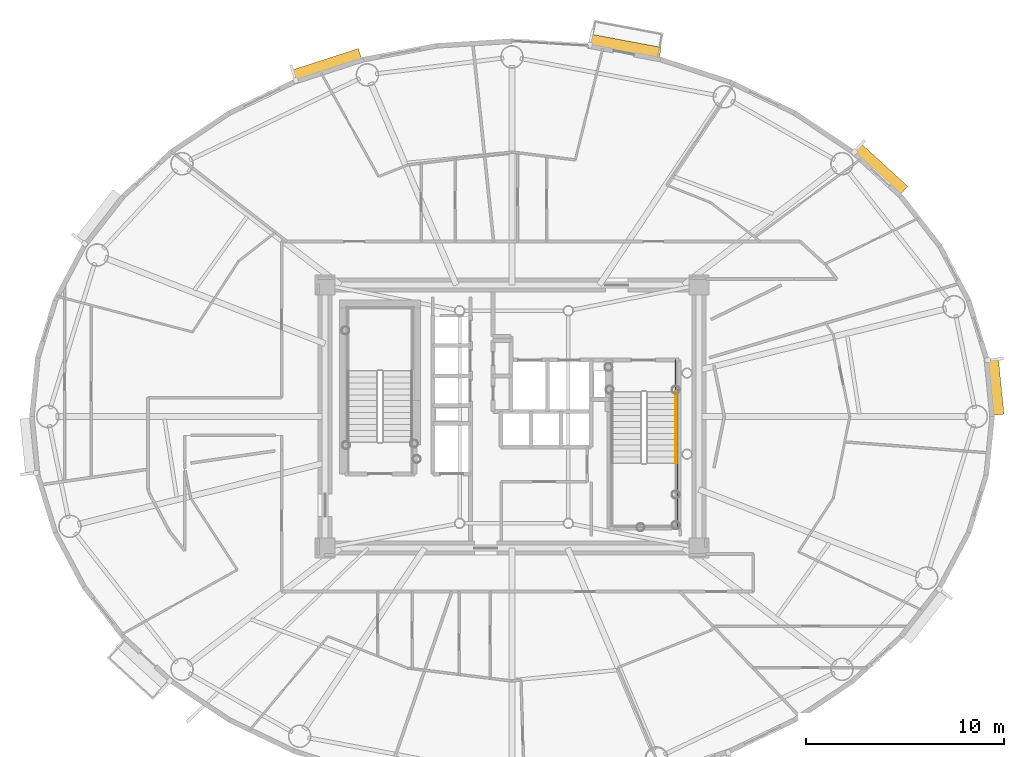
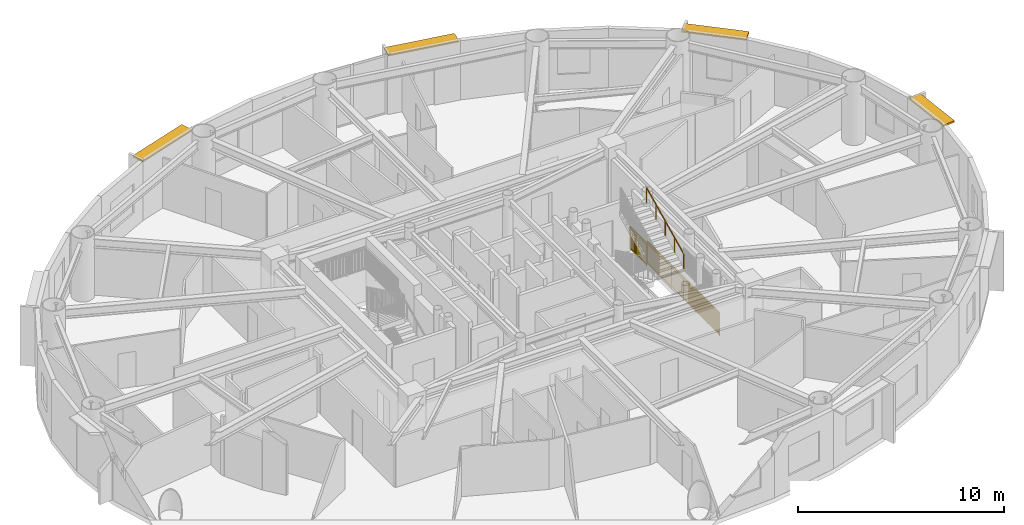
# One storey, part 17 of 18: 4 shading devices, 3 railings.
"""IFC4 building model written with IfcOpenShell, lengths in metres."""

from ifc_helpers import new_model, si_unit, direction, frame, origin, origin_2d, place, context, subcontext, project, spatial, rectangle, extrude, source, transform, mapped, material, layer, layer_set, type_object, element, save


model = new_model("IFC4")

# Units and contexts
model_context = context("Model", 3, precision=1e-05, world=origin(), true_north=direction((0.0, 1.0)))
body_context = subcontext(model_context, "Body", "Model", "MODEL_VIEW")
ifc_project = project(units=[si_unit("LENGTHUNIT", "METRE"), si_unit("AREAUNIT", "SQUARE_METRE"), si_unit("VOLUMEUNIT", "CUBIC_METRE"), si_unit("PLANEANGLEUNIT", "RADIAN"), si_unit("MASSUNIT", "GRAM", prefix="KILO")], contexts=[model_context])

# Site, building, storey
site_placement = place(None, origin())
site = spatial("IfcSite", under=ifc_project, at=site_placement, CompositionType="ELEMENT")
building_placement = place(site_placement, origin())
building = spatial("IfcBuilding", under=site, at=building_placement, Name="Linh Dai School and Residence Tower", CompositionType="ELEMENT")
storey_placement = place(building_placement, frame((0.0, 0.0, 240.300048828125)))
storey = spatial("IfcBuildingStorey", under=building, at=storey_placement, Name="L59", CompositionType="ELEMENT", Elevation=240.300048828125)

# Shading devices
ifc_material_1 = material(Name="Terracotta Ceramic Sunshade", Category="masonry")
ifc_layer = layer(ifc_material_1, 0.10009765625)
ifc_layer_set = layer_set([ifc_layer], Name="Terracotta Ceramic Sunshade")
shading_device_type = type_object("IfcShadingDeviceType", Name="SHD-TC-650", PredefinedType="USERDEFINED", material=ifc_layer_set)
shared_shape_1 = source(origin(), body_context, "Body", "SweptSolid", [
    extrude(rectangle(XDim=2.859619140625, YDim=0.64990234375, at=origin_2d()), origin(), (0.0, 0.0, 1.0), 0.10009765625),
])
shading_device_1_placement = place(storey_placement, frame((60.40966796875, 28.510498046875, 3.3798828125), z_axis=(0.0, 0.0, 1.0), x_axis=(0.100012244219, -0.99498620644, 0.0)))
element("IfcShadingDevice", 1, at=shading_device_1_placement, inside=storey, type_object=shading_device_type, Name="L59 Terracotta Horizontal Sunshade Band 01", ObjectType="SUNSHADE", PredefinedType="USERDEFINED", context=body_context, shape_type="MappedRepresentation", body=[
    mapped(shared_shape_1, transform((0.0, 0.0, 0.0), x_axis=(1.0, 0.0, 0.0), y_axis=(0.0, 1.0, 0.0), z_axis=(0.0, 0.0, 1.0), scale=1.0)),
])
shared_shape_2 = source(origin(), body_context, "Body", "SweptSolid", [
    extrude(rectangle(XDim=3.219482421875, YDim=0.64990234375, at=origin_2d()), origin(), (0.0, 0.0, 1.0), 0.10009765625),
])
shading_device_2_placement = place(storey_placement, frame((54.60498046875, 39.48779296875, 3.3798828125), z_axis=(0.0, 0.0, 1.0), x_axis=(0.737123938446, -0.675757574408, 0.0)))
element("IfcShadingDevice", 2, at=shading_device_2_placement, inside=storey, type_object=shading_device_type, Name="L59 Terracotta Horizontal Sunshade Band 05", ObjectType="SUNSHADE", PredefinedType="USERDEFINED", context=body_context, shape_type="MappedRepresentation", body=[
    mapped(shared_shape_2, transform((0.0, 0.0, 0.0), x_axis=(1.0, 0.0, 0.0), y_axis=(0.0, 1.0, 0.0), z_axis=(0.0, 0.0, 1.0), scale=1.0)),
])
shared_shape_3 = source(origin(), body_context, "Body", "SweptSolid", [
    extrude(rectangle(XDim=3.62158203125, YDim=0.64990234375, at=origin_2d()), origin(), (0.0, 0.0, 1.0), 0.10009765625),
])
shading_device_3_placement = place(storey_placement, frame((41.7080078125, 45.67724609375, 3.3798828125), z_axis=(0.0, 0.0, 1.0), x_axis=(0.982786586765, -0.18474448537, 0.0)))
element("IfcShadingDevice", 3, at=shading_device_3_placement, inside=storey, type_object=shading_device_type, Name="L59 Terracotta Horizontal Sunshade Band 09", ObjectType="SUNSHADE", PredefinedType="USERDEFINED", context=body_context, shape_type="MappedRepresentation", body=[
    mapped(shared_shape_3, transform((0.0, 0.0, 0.0), x_axis=(1.0, 0.0, 0.0), y_axis=(0.0, 1.0, 0.0), z_axis=(0.0, 0.0, 1.0), scale=1.0)),
])
shared_shape_4 = source(origin(), body_context, "Body", "SweptSolid", [
    extrude(rectangle(XDim=3.554443359375, YDim=0.64990234375, at=origin_2d()), origin(), (0.0, 0.0, 1.0), 0.10009765625),
])
shading_device_4_placement = place(storey_placement, frame((26.641845703125, 44.748779296875, 3.3798828125), z_axis=(0.0, 0.0, 1.0), x_axis=(0.951223997135, 0.308501065272, 0.0)))
element("IfcShadingDevice", 4, at=shading_device_4_placement, inside=storey, type_object=shading_device_type, Name="L59 Terracotta Horizontal Sunshade Band 13", ObjectType="SUNSHADE", PredefinedType="USERDEFINED", context=body_context, shape_type="MappedRepresentation", body=[
    mapped(shared_shape_4, transform((0.0, 0.0, 0.0), x_axis=(1.0, 0.0, 0.0), y_axis=(0.0, 1.0, 0.0), z_axis=(0.0, 0.0, 1.0), scale=1.0)),
])

# Railings
ifc_material_2 = material(Name="Brushed Stainless Steel Handrail", Category="steel")
railing_type_1 = type_object("IfcRailingType", Name="RL-ST-HANDRAIL-900", PredefinedType="HANDRAIL", material=ifc_material_2)
shared_shape_5 = source(origin(), body_context, "Body", "SweptSolid", [
    extrude(rectangle(XDim=0.048095703125, YDim=0.048095703125, at=origin_2d()), frame((0.0, 0.0, 0.8759765625), z_axis=(0.0, 0.901262522062, 0.433273431364), x_axis=(-1.0, 0.0, 0.0)), (0.0, 0.0, 1.0), 3.994384765625),
    extrude(rectangle(XDim=0.0419921875, YDim=0.0419921875, at=origin_2d()), origin(), (0.0, 0.0, 1.0), 0.8759765625),
    extrude(rectangle(XDim=0.0419921875, YDim=0.0419921875, at=origin_2d()), frame((0.0, 0.89990234375, 0.4326171875)), (0.0, 0.0, 1.0), 0.8759765625),
    extrude(rectangle(XDim=0.0419921875, YDim=0.0419921875, at=origin_2d()), frame((0.0, 1.800048828125, 0.865234375)), (0.0, 0.0, 1.0), 0.8759765625),
    extrude(rectangle(XDim=0.0419921875, YDim=0.0419921875, at=origin_2d()), frame((0.0, 2.7001953125, 1.298095703125)), (0.0, 0.0, 1.0), 0.8759765625),
    extrude(rectangle(XDim=0.0419921875, YDim=0.0419921875, at=origin_2d()), frame((0.0, 3.60009765625, 1.730712890625)), (0.0, 0.0, 1.0), 0.8759765625),
])
railing_1_placement = place(storey_placement, frame((44.27001953125, 24.64990234375, 2.019287109375)))
element("IfcRailing", 5, at=railing_1_placement, inside=storey, type_object=railing_type_1, Name="L59 ST2 stair handrail 2", PredefinedType="HANDRAIL", context=body_context, shape_type="MappedRepresentation", body=[
    mapped(shared_shape_5, transform((0.0, 0.0, 0.0), x_axis=(1.0, 0.0, 0.0), y_axis=(0.0, 1.0, 0.0), z_axis=(0.0, 0.0, 1.0), scale=1.0)),
])
ifc_material_3 = material(Name="Structural Steel S355JR", Category="steel")
railing_type_2 = type_object("IfcRailingType", Name="RL-ST-GUARD-1400", PredefinedType="GUARDRAIL", material=ifc_material_3)
shared_shape_6 = source(origin(), body_context, "Body", "SweptSolid", [
    extrude(rectangle(XDim=0.048095703125, YDim=0.048095703125, at=origin_2d()), frame((0.0, 0.0, 1.3759765625), z_axis=(0.0, -1.0, 0.0), x_axis=(1.0, 0.0, 0.0)), (0.0, 0.0, 1.0), 1.60009765625),
    extrude(rectangle(XDim=0.048095703125, YDim=0.048095703125, at=origin_2d()), frame((0.0, 0.0, 0.10009765625), z_axis=(0.0, -1.0, 0.0), x_axis=(1.0, 0.0, 0.0)), (0.0, 0.0, 1.0), 1.60009765625),
    extrude(rectangle(XDim=0.030029296875, YDim=0.030029296875, at=origin_2d()), frame((0.0, 0.0, 1.239990234375), z_axis=(0.0, -1.0, 0.0), x_axis=(1.0, 0.0, 0.0)), (0.0, 0.0, 1.0), 1.60009765625),
    extrude(rectangle(XDim=0.02001953125, YDim=0.02001953125, at=origin_2d()), frame((0.0, -0.09423828125, 0.10009765625)), (0.0, 0.0, 1.0), 1.251708984375),
    extrude(rectangle(XDim=0.02001953125, YDim=0.02001953125, at=origin_2d()), frame((0.0, -0.188232421875, 0.10009765625)), (0.0, 0.0, 1.0), 1.251708984375),
    extrude(rectangle(XDim=0.02001953125, YDim=0.02001953125, at=origin_2d()), frame((0.0, -0.282470703125, 0.10009765625)), (0.0, 0.0, 1.0), 1.251708984375),
    extrude(rectangle(XDim=0.02001953125, YDim=0.02001953125, at=origin_2d()), frame((0.0, -0.37646484375, 0.10009765625)), (0.0, 0.0, 1.0), 1.251708984375),
    extrude(rectangle(XDim=0.02001953125, YDim=0.02001953125, at=origin_2d()), frame((0.0, -0.470703125, 0.10009765625)), (0.0, 0.0, 1.0), 1.251708984375),
    extrude(rectangle(XDim=0.02001953125, YDim=0.02001953125, at=origin_2d()), frame((0.0, -0.564697265625, 0.10009765625)), (0.0, 0.0, 1.0), 1.251708984375),
    extrude(rectangle(XDim=0.02001953125, YDim=0.02001953125, at=origin_2d()), frame((0.0, -0.658935546875, 0.10009765625)), (0.0, 0.0, 1.0), 1.251708984375),
    extrude(rectangle(XDim=0.02001953125, YDim=0.02001953125, at=origin_2d()), frame((0.0, -0.7529296875, 0.10009765625)), (0.0, 0.0, 1.0), 1.251708984375),
    extrude(rectangle(XDim=0.02001953125, YDim=0.02001953125, at=origin_2d()), frame((0.0, -0.84716796875, 0.10009765625)), (0.0, 0.0, 1.0), 1.251708984375),
    extrude(rectangle(XDim=0.02001953125, YDim=0.02001953125, at=origin_2d()), frame((0.0, -0.941162109375, 0.10009765625)), (0.0, 0.0, 1.0), 1.251708984375),
    extrude(rectangle(XDim=0.02001953125, YDim=0.02001953125, at=origin_2d()), frame((0.0, -1.035400390625, 0.10009765625)), (0.0, 0.0, 1.0), 1.251708984375),
    extrude(rectangle(XDim=0.02001953125, YDim=0.02001953125, at=origin_2d()), frame((0.0, -1.12939453125, 0.10009765625)), (0.0, 0.0, 1.0), 1.251708984375),
    extrude(rectangle(XDim=0.02001953125, YDim=0.02001953125, at=origin_2d()), frame((0.0, -1.2236328125, 0.10009765625)), (0.0, 0.0, 1.0), 1.251708984375),
    extrude(rectangle(XDim=0.02001953125, YDim=0.02001953125, at=origin_2d()), frame((0.0, -1.317626953125, 0.10009765625)), (0.0, 0.0, 1.0), 1.251708984375),
    extrude(rectangle(XDim=0.02001953125, YDim=0.02001953125, at=origin_2d()), frame((0.0, -1.411865234375, 0.10009765625)), (0.0, 0.0, 1.0), 1.251708984375),
    extrude(rectangle(XDim=0.02001953125, YDim=0.02001953125, at=origin_2d()), frame((0.0, -1.505859375, 0.10009765625)), (0.0, 0.0, 1.0), 1.251708984375),
    extrude(rectangle(XDim=0.0419921875, YDim=0.0419921875, at=origin_2d()), origin(), (0.0, 0.0, 1.0), 1.3759765625),
    extrude(rectangle(XDim=0.0419921875, YDim=0.0419921875, at=origin_2d()), frame((0.0, -0.800048828125, 0.0)), (0.0, 0.0, 1.0), 1.3759765625),
    extrude(rectangle(XDim=0.0419921875, YDim=0.0419921875, at=origin_2d()), frame((0.0, -1.60009765625, 0.0)), (0.0, 0.0, 1.0), 1.3759765625),
])
railing_2_placement = place(storey_placement, frame((44.27001953125, 29.85009765625, 0.0)))
element("IfcRailing", 6, at=railing_2_placement, inside=storey, type_object=railing_type_2, Name="L59 ST2 stair guard 9", PredefinedType="GUARDRAIL", context=body_context, shape_type="MappedRepresentation", body=[
    mapped(shared_shape_6, transform((0.0, 0.0, 0.0), x_axis=(1.0, 0.0, 0.0), y_axis=(0.0, 1.0, 0.0), z_axis=(0.0, 0.0, 1.0), scale=1.0)),
])
shared_shape_7 = source(origin(), body_context, "Body", "SweptSolid", [
    extrude(rectangle(XDim=0.048095703125, YDim=0.048095703125, at=origin_2d()), frame((0.0, 0.0, 1.3759765625), z_axis=(0.0, -1.0, 0.0), x_axis=(1.0, 0.0, 0.0)), (0.0, 0.0, 1.0), 7.0),
    extrude(rectangle(XDim=0.048095703125, YDim=0.048095703125, at=origin_2d()), frame((0.0, 0.0, 0.10009765625), z_axis=(0.0, -1.0, 0.0), x_axis=(1.0, 0.0, 0.0)), (0.0, 0.0, 1.0), 7.0),
    extrude(rectangle(XDim=0.030029296875, YDim=0.030029296875, at=origin_2d()), frame((0.0, 0.0, 1.239990234375), z_axis=(0.0, -1.0, 0.0), x_axis=(1.0, 0.0, 0.0)), (0.0, 0.0, 1.0), 7.0),
    extrude(rectangle(XDim=0.02001953125, YDim=0.02001953125, at=origin_2d()), frame((0.0, -0.09716796875, 0.10009765625)), (0.0, 0.0, 1.0), 1.251708984375),
    extrude(rectangle(XDim=0.02001953125, YDim=0.02001953125, at=origin_2d()), frame((0.0, -0.1943359375, 0.10009765625)), (0.0, 0.0, 1.0), 1.251708984375),
    extrude(rectangle(XDim=0.02001953125, YDim=0.02001953125, at=origin_2d()), frame((0.0, -0.291748046875, 0.10009765625)), (0.0, 0.0, 1.0), 1.251708984375),
    extrude(rectangle(XDim=0.02001953125, YDim=0.02001953125, at=origin_2d()), frame((0.0, -0.388916015625, 0.10009765625)), (0.0, 0.0, 1.0), 1.251708984375),
    extrude(rectangle(XDim=0.02001953125, YDim=0.02001953125, at=origin_2d()), frame((0.0, -0.486083984375, 0.10009765625)), (0.0, 0.0, 1.0), 1.251708984375),
    extrude(rectangle(XDim=0.02001953125, YDim=0.02001953125, at=origin_2d()), frame((0.0, -0.583251953125, 0.10009765625)), (0.0, 0.0, 1.0), 1.251708984375),
    extrude(rectangle(XDim=0.02001953125, YDim=0.02001953125, at=origin_2d()), frame((0.0, -0.6806640625, 0.10009765625)), (0.0, 0.0, 1.0), 1.251708984375),
    extrude(rectangle(XDim=0.02001953125, YDim=0.02001953125, at=origin_2d()), frame((0.0, -0.77783203125, 0.10009765625)), (0.0, 0.0, 1.0), 1.251708984375),
    extrude(rectangle(XDim=0.02001953125, YDim=0.02001953125, at=origin_2d()), frame((0.0, -0.875, 0.10009765625)), (0.0, 0.0, 1.0), 1.251708984375),
    extrude(rectangle(XDim=0.02001953125, YDim=0.02001953125, at=origin_2d()), frame((0.0, -0.97216796875, 0.10009765625)), (0.0, 0.0, 1.0), 1.251708984375),
    extrude(rectangle(XDim=0.02001953125, YDim=0.02001953125, at=origin_2d()), frame((0.0, -1.0693359375, 0.10009765625)), (0.0, 0.0, 1.0), 1.251708984375),
    extrude(rectangle(XDim=0.02001953125, YDim=0.02001953125, at=origin_2d()), frame((0.0, -1.263916015625, 0.10009765625)), (0.0, 0.0, 1.0), 1.251708984375),
    extrude(rectangle(XDim=0.02001953125, YDim=0.02001953125, at=origin_2d()), frame((0.0, -1.361083984375, 0.10009765625)), (0.0, 0.0, 1.0), 1.251708984375),
    extrude(rectangle(XDim=0.02001953125, YDim=0.02001953125, at=origin_2d()), frame((0.0, -1.458251953125, 0.10009765625)), (0.0, 0.0, 1.0), 1.251708984375),
    extrude(rectangle(XDim=0.02001953125, YDim=0.02001953125, at=origin_2d()), frame((0.0, -1.5556640625, 0.10009765625)), (0.0, 0.0, 1.0), 1.251708984375),
    extrude(rectangle(XDim=0.02001953125, YDim=0.02001953125, at=origin_2d()), frame((0.0, -1.65283203125, 0.10009765625)), (0.0, 0.0, 1.0), 1.251708984375),
    extrude(rectangle(XDim=0.02001953125, YDim=0.02001953125, at=origin_2d()), frame((0.0, -1.75, 0.10009765625)), (0.0, 0.0, 1.0), 1.251708984375),
    extrude(rectangle(XDim=0.02001953125, YDim=0.02001953125, at=origin_2d()), frame((0.0, -1.84716796875, 0.10009765625)), (0.0, 0.0, 1.0), 1.251708984375),
    extrude(rectangle(XDim=0.02001953125, YDim=0.02001953125, at=origin_2d()), frame((0.0, -1.9443359375, 0.10009765625)), (0.0, 0.0, 1.0), 1.251708984375),
    extrude(rectangle(XDim=0.02001953125, YDim=0.02001953125, at=origin_2d()), frame((0.0, -2.041748046875, 0.10009765625)), (0.0, 0.0, 1.0), 1.251708984375),
    extrude(rectangle(XDim=0.02001953125, YDim=0.02001953125, at=origin_2d()), frame((0.0, -2.138916015625, 0.10009765625)), (0.0, 0.0, 1.0), 1.251708984375),
    extrude(rectangle(XDim=0.02001953125, YDim=0.02001953125, at=origin_2d()), frame((0.0, -2.236083984375, 0.10009765625)), (0.0, 0.0, 1.0), 1.251708984375),
    extrude(rectangle(XDim=0.02001953125, YDim=0.02001953125, at=origin_2d()), frame((0.0, -2.4306640625, 0.10009765625)), (0.0, 0.0, 1.0), 1.251708984375),
    extrude(rectangle(XDim=0.02001953125, YDim=0.02001953125, at=origin_2d()), frame((0.0, -2.52783203125, 0.10009765625)), (0.0, 0.0, 1.0), 1.251708984375),
    extrude(rectangle(XDim=0.02001953125, YDim=0.02001953125, at=origin_2d()), frame((0.0, -2.625, 0.10009765625)), (0.0, 0.0, 1.0), 1.251708984375),
    extrude(rectangle(XDim=0.02001953125, YDim=0.02001953125, at=origin_2d()), frame((0.0, -2.72216796875, 0.10009765625)), (0.0, 0.0, 1.0), 1.251708984375),
    extrude(rectangle(XDim=0.02001953125, YDim=0.02001953125, at=origin_2d()), frame((0.0, -2.8193359375, 0.10009765625)), (0.0, 0.0, 1.0), 1.251708984375),
    extrude(rectangle(XDim=0.02001953125, YDim=0.02001953125, at=origin_2d()), frame((0.0, -2.916748046875, 0.10009765625)), (0.0, 0.0, 1.0), 1.251708984375),
    extrude(rectangle(XDim=0.02001953125, YDim=0.02001953125, at=origin_2d()), frame((0.0, -3.013916015625, 0.10009765625)), (0.0, 0.0, 1.0), 1.251708984375),
    extrude(rectangle(XDim=0.02001953125, YDim=0.02001953125, at=origin_2d()), frame((0.0, -3.111083984375, 0.10009765625)), (0.0, 0.0, 1.0), 1.251708984375),
    extrude(rectangle(XDim=0.02001953125, YDim=0.02001953125, at=origin_2d()), frame((0.0, -3.208251953125, 0.10009765625)), (0.0, 0.0, 1.0), 1.251708984375),
    extrude(rectangle(XDim=0.02001953125, YDim=0.02001953125, at=origin_2d()), frame((0.0, -3.3056640625, 0.10009765625)), (0.0, 0.0, 1.0), 1.251708984375),
    extrude(rectangle(XDim=0.02001953125, YDim=0.02001953125, at=origin_2d()), frame((0.0, -3.40283203125, 0.10009765625)), (0.0, 0.0, 1.0), 1.251708984375),
    extrude(rectangle(XDim=0.02001953125, YDim=0.02001953125, at=origin_2d()), frame((0.0, -3.59716796875, 0.10009765625)), (0.0, 0.0, 1.0), 1.251708984375),
    extrude(rectangle(XDim=0.02001953125, YDim=0.02001953125, at=origin_2d()), frame((0.0, -3.6943359375, 0.10009765625)), (0.0, 0.0, 1.0), 1.251708984375),
    extrude(rectangle(XDim=0.02001953125, YDim=0.02001953125, at=origin_2d()), frame((0.0, -3.791748046875, 0.10009765625)), (0.0, 0.0, 1.0), 1.251708984375),
    extrude(rectangle(XDim=0.02001953125, YDim=0.02001953125, at=origin_2d()), frame((0.0, -3.888916015625, 0.10009765625)), (0.0, 0.0, 1.0), 1.251708984375),
    extrude(rectangle(XDim=0.02001953125, YDim=0.02001953125, at=origin_2d()), frame((0.0, -3.986083984375, 0.10009765625)), (0.0, 0.0, 1.0), 1.251708984375),
    extrude(rectangle(XDim=0.02001953125, YDim=0.02001953125, at=origin_2d()), frame((0.0, -4.083251953125, 0.10009765625)), (0.0, 0.0, 1.0), 1.251708984375),
    extrude(rectangle(XDim=0.02001953125, YDim=0.02001953125, at=origin_2d()), frame((0.0, -4.1806640625, 0.10009765625)), (0.0, 0.0, 1.0), 1.251708984375),
    extrude(rectangle(XDim=0.02001953125, YDim=0.02001953125, at=origin_2d()), frame((0.0, -4.27783203125, 0.10009765625)), (0.0, 0.0, 1.0), 1.251708984375),
    extrude(rectangle(XDim=0.02001953125, YDim=0.02001953125, at=origin_2d()), frame((0.0, -4.375, 0.10009765625)), (0.0, 0.0, 1.0), 1.251708984375),
    extrude(rectangle(XDim=0.02001953125, YDim=0.02001953125, at=origin_2d()), frame((0.0, -4.47216796875, 0.10009765625)), (0.0, 0.0, 1.0), 1.251708984375),
    extrude(rectangle(XDim=0.02001953125, YDim=0.02001953125, at=origin_2d()), frame((0.0, -4.5693359375, 0.10009765625)), (0.0, 0.0, 1.0), 1.251708984375),
    extrude(rectangle(XDim=0.02001953125, YDim=0.02001953125, at=origin_2d()), frame((0.0, -4.763916015625, 0.10009765625)), (0.0, 0.0, 1.0), 1.251708984375),
    extrude(rectangle(XDim=0.02001953125, YDim=0.02001953125, at=origin_2d()), frame((0.0, -4.861083984375, 0.10009765625)), (0.0, 0.0, 1.0), 1.251708984375),
    extrude(rectangle(XDim=0.02001953125, YDim=0.02001953125, at=origin_2d()), frame((0.0, -4.958251953125, 0.10009765625)), (0.0, 0.0, 1.0), 1.251708984375),
    extrude(rectangle(XDim=0.02001953125, YDim=0.02001953125, at=origin_2d()), frame((0.0, -5.0556640625, 0.10009765625)), (0.0, 0.0, 1.0), 1.251708984375),
    extrude(rectangle(XDim=0.02001953125, YDim=0.02001953125, at=origin_2d()), frame((0.0, -5.15283203125, 0.10009765625)), (0.0, 0.0, 1.0), 1.251708984375),
    extrude(rectangle(XDim=0.02001953125, YDim=0.02001953125, at=origin_2d()), frame((0.0, -5.25, 0.10009765625)), (0.0, 0.0, 1.0), 1.251708984375),
    extrude(rectangle(XDim=0.02001953125, YDim=0.02001953125, at=origin_2d()), frame((0.0, -5.34716796875, 0.10009765625)), (0.0, 0.0, 1.0), 1.251708984375),
    extrude(rectangle(XDim=0.02001953125, YDim=0.02001953125, at=origin_2d()), frame((0.0, -5.4443359375, 0.10009765625)), (0.0, 0.0, 1.0), 1.251708984375),
    extrude(rectangle(XDim=0.02001953125, YDim=0.02001953125, at=origin_2d()), frame((0.0, -5.541748046875, 0.10009765625)), (0.0, 0.0, 1.0), 1.251708984375),
    extrude(rectangle(XDim=0.02001953125, YDim=0.02001953125, at=origin_2d()), frame((0.0, -5.638916015625, 0.10009765625)), (0.0, 0.0, 1.0), 1.251708984375),
    extrude(rectangle(XDim=0.02001953125, YDim=0.02001953125, at=origin_2d()), frame((0.0, -5.736083984375, 0.10009765625)), (0.0, 0.0, 1.0), 1.251708984375),
    extrude(rectangle(XDim=0.02001953125, YDim=0.02001953125, at=origin_2d()), frame((0.0, -5.9306640625, 0.10009765625)), (0.0, 0.0, 1.0), 1.251708984375),
    extrude(rectangle(XDim=0.02001953125, YDim=0.02001953125, at=origin_2d()), frame((0.0, -6.02783203125, 0.10009765625)), (0.0, 0.0, 1.0), 1.251708984375),
    extrude(rectangle(XDim=0.02001953125, YDim=0.02001953125, at=origin_2d()), frame((0.0, -6.125, 0.10009765625)), (0.0, 0.0, 1.0), 1.251708984375),
    extrude(rectangle(XDim=0.02001953125, YDim=0.02001953125, at=origin_2d()), frame((0.0, -6.22216796875, 0.10009765625)), (0.0, 0.0, 1.0), 1.251708984375),
    extrude(rectangle(XDim=0.02001953125, YDim=0.02001953125, at=origin_2d()), frame((0.0, -6.3193359375, 0.10009765625)), (0.0, 0.0, 1.0), 1.251708984375),
    extrude(rectangle(XDim=0.02001953125, YDim=0.02001953125, at=origin_2d()), frame((0.0, -6.416748046875, 0.10009765625)), (0.0, 0.0, 1.0), 1.251708984375),
    extrude(rectangle(XDim=0.02001953125, YDim=0.02001953125, at=origin_2d()), frame((0.0, -6.513916015625, 0.10009765625)), (0.0, 0.0, 1.0), 1.251708984375),
    extrude(rectangle(XDim=0.02001953125, YDim=0.02001953125, at=origin_2d()), frame((0.0, -6.611083984375, 0.10009765625)), (0.0, 0.0, 1.0), 1.251708984375),
    extrude(rectangle(XDim=0.02001953125, YDim=0.02001953125, at=origin_2d()), frame((0.0, -6.708251953125, 0.10009765625)), (0.0, 0.0, 1.0), 1.251708984375),
    extrude(rectangle(XDim=0.02001953125, YDim=0.02001953125, at=origin_2d()), frame((0.0, -6.8056640625, 0.10009765625)), (0.0, 0.0, 1.0), 1.251708984375),
    extrude(rectangle(XDim=0.02001953125, YDim=0.02001953125, at=origin_2d()), frame((0.0, -6.90283203125, 0.10009765625)), (0.0, 0.0, 1.0), 1.251708984375),
    extrude(rectangle(XDim=0.0419921875, YDim=0.0419921875, at=origin_2d()), origin(), (0.0, 0.0, 1.0), 1.3759765625),
    extrude(rectangle(XDim=0.0419921875, YDim=0.0419921875, at=origin_2d()), frame((0.0, -1.166748046875, 0.0)), (0.0, 0.0, 1.0), 1.3759765625),
    extrude(rectangle(XDim=0.0419921875, YDim=0.0419921875, at=origin_2d()), frame((0.0, -2.333251953125, 0.0)), (0.0, 0.0, 1.0), 1.3759765625),
    extrude(rectangle(XDim=0.0419921875, YDim=0.0419921875, at=origin_2d()), frame((0.0, -3.5, 0.0)), (0.0, 0.0, 1.0), 1.3759765625),
    extrude(rectangle(XDim=0.0419921875, YDim=0.0419921875, at=origin_2d()), frame((0.0, -4.666748046875, 0.0)), (0.0, 0.0, 1.0), 1.3759765625),
    extrude(rectangle(XDim=0.0419921875, YDim=0.0419921875, at=origin_2d()), frame((0.0, -5.833251953125, 0.0)), (0.0, 0.0, 1.0), 1.3759765625),
    extrude(rectangle(XDim=0.0419921875, YDim=0.0419921875, at=origin_2d()), frame((0.0, -7.0, 0.0)), (0.0, 0.0, 1.0), 1.3759765625),
])
railing_3_placement = place(storey_placement, frame((44.3701171875, 28.35009765625, 0.0)))
element("IfcRailing", 7, at=railing_3_placement, inside=storey, type_object=railing_type_2, Name="L59 ST2 stair guard 11", PredefinedType="GUARDRAIL", context=body_context, shape_type="MappedRepresentation", body=[
    mapped(shared_shape_7, transform((0.0, 0.0, 0.0), x_axis=(1.0, 0.0, 0.0), y_axis=(0.0, 1.0, 0.0), z_axis=(0.0, 0.0, 1.0), scale=1.0)),
])

save(model, "model.ifc")
